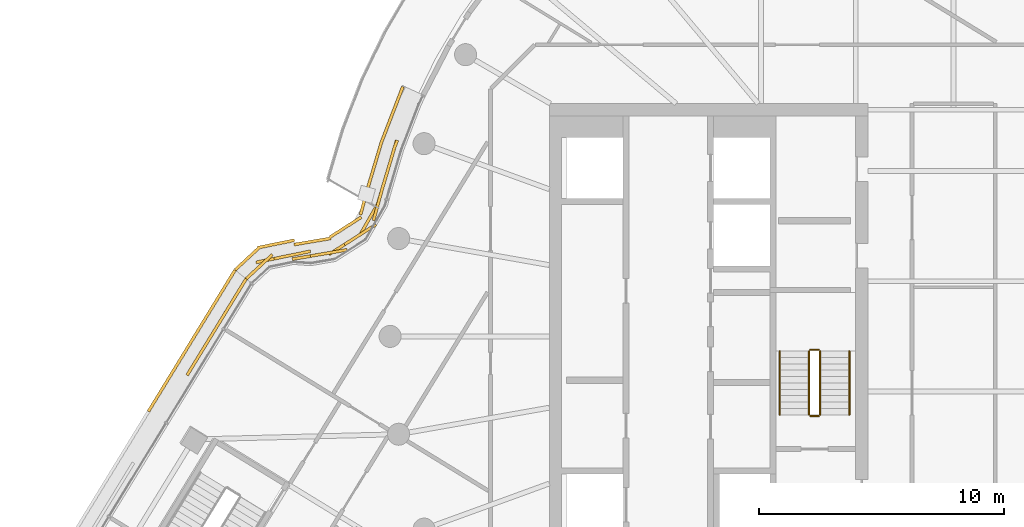
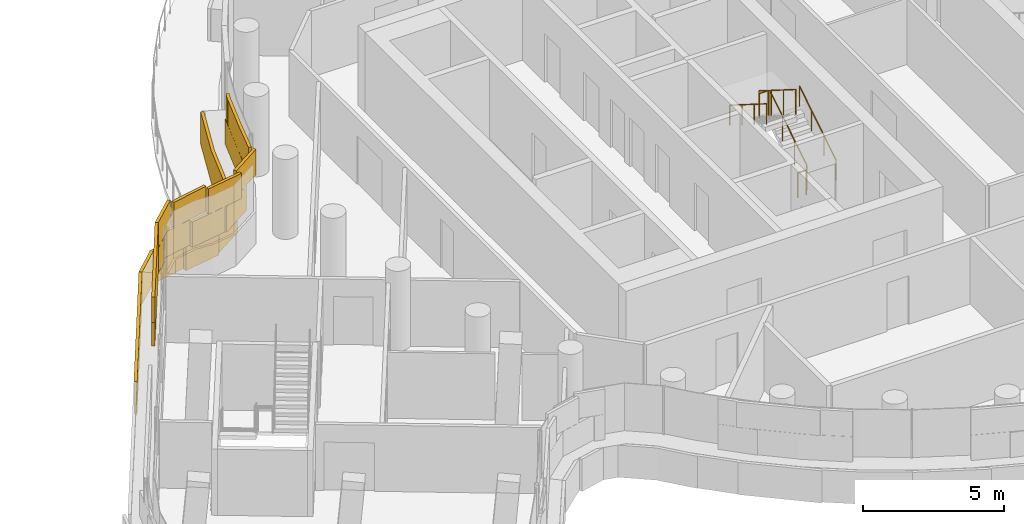
# One storey, part 23 of 27: 6 railings, 2 coverings.
"""IFC4 building model written with IfcOpenShell, lengths in metres."""

from ifc_helpers import new_model, si_unit, direction, frame, origin, origin_2d, place, context, subcontext, project, spatial, rectangle, circle, extrude, material, layer, layer_set, type_object, element, save


model = new_model("IFC4")

# Units and contexts
model_context = context("Model", 3, precision=1e-05, world=origin(), true_north=direction((0.0, 1.0)))
body_context = subcontext(model_context, "Body", "Model", "MODEL_VIEW")
ifc_project = project(units=[si_unit("LENGTHUNIT", "METRE"), si_unit("AREAUNIT", "SQUARE_METRE"), si_unit("VOLUMEUNIT", "CUBIC_METRE"), si_unit("PLANEANGLEUNIT", "RADIAN"), si_unit("MASSUNIT", "GRAM", prefix="KILO")], contexts=[model_context])

# Site, building, storey
site_placement = place(None, origin())
site = spatial("IfcSite", under=ifc_project, at=site_placement, CompositionType="ELEMENT")
building_placement = place(site_placement, origin())
building = spatial("IfcBuilding", under=site, at=building_placement, Name="Tamarind Cross Interchange Tower", CompositionType="ELEMENT")
storey_placement = place(building_placement, frame((0.0, 0.0, 245.10009765625)))
storey = spatial("IfcBuildingStorey", under=building, at=storey_placement, Name="L62", CompositionType="ELEMENT", Elevation=245.10009765625)

# Railings
ifc_material_1 = material(Name="Stair guard")
railing_type_1 = type_object("IfcRailingType", Name="Stair guard", PredefinedType="GUARDRAIL", material=ifc_material_1)
railing_1_placement = place(storey_placement, frame((-5.449951171875, -3.199951171875, 0.16357421875)))
element("IfcRailing", 1, at=railing_1_placement, inside=storey, type_object=railing_type_1, Name="L62 ST1 stair guard 1", PredefinedType="GUARDRAIL", context=body_context, shape_type="SweptSolid", body=[
    extrude(circle(Radius=0.02392578125, at=origin_2d()), frame((0.0, 0.0, 1.076171875), z_axis=(0.0, 0.846337672412, 0.532646734952), x_axis=(-1.0, 0.0, 0.0)), (0.0, 0.0, 1.0), 3.07177734375),
    extrude(circle(Radius=0.02099609375, at=origin_2d()), origin(), (0.0, 0.0, 1.0), 1.052001953125),
    extrude(circle(Radius=0.02099609375, at=origin_2d()), frame((0.0, 0.86669921875, 0.54541015625)), (0.0, 0.0, 1.0), 1.052001953125),
    extrude(circle(Radius=0.02099609375, at=origin_2d()), frame((0.0, 1.733154296875, 1.0908203125)), (0.0, 0.0, 1.0), 1.052001953125),
    extrude(circle(Radius=0.02099609375, at=origin_2d()), frame((0.0, 2.599853515625, 1.63623046875)), (0.0, 0.0, 1.0), 1.052001953125),
])
railing_2_placement = place(storey_placement, frame((-5.5, -0.550048828125, 1.7998046875)))
element("IfcRailing", 2, at=railing_2_placement, inside=storey, type_object=railing_type_1, Name="L62 ST1 stair guard 2", PredefinedType="GUARDRAIL", context=body_context, shape_type="SweptSolid", body=[
    extrude(circle(Radius=0.02392578125, at=origin_2d()), frame((0.0, 0.0, 1.076171875), z_axis=(-1.0, 0.0, 0.0), x_axis=(0.0, -1.0, 0.0)), (0.0, 0.0, 1.0), 0.35009765625),
    extrude(circle(Radius=0.02099609375, at=origin_2d()), origin(), (0.0, 0.0, 1.0), 1.052001953125),
    extrude(circle(Radius=0.02099609375, at=origin_2d()), frame((-0.35009765625, 0.0, 0.0)), (0.0, 0.0, 1.0), 1.052001953125),
])
railing_3_placement = place(storey_placement, frame((-5.89990234375, -0.60009765625, 1.963623046875)))
element("IfcRailing", 3, at=railing_3_placement, inside=storey, type_object=railing_type_1, Name="L62 ST1 stair guard 3", PredefinedType="GUARDRAIL", context=body_context, shape_type="SweptSolid", body=[
    extrude(circle(Radius=0.02392578125, at=origin_2d()), frame((0.0, 0.0, 1.076171875), z_axis=(0.0, -0.846337672412, 0.532646734952), x_axis=(1.0, 0.0, 0.0)), (0.0, 0.0, 1.0), 3.07177734375),
    extrude(circle(Radius=0.02099609375, at=origin_2d()), origin(), (0.0, 0.0, 1.0), 1.052001953125),
    extrude(circle(Radius=0.02099609375, at=origin_2d()), frame((0.0, -0.86669921875, 0.54541015625)), (0.0, 0.0, 1.0), 1.052001953125),
    extrude(circle(Radius=0.02099609375, at=origin_2d()), frame((0.0, -1.733154296875, 1.0908203125)), (0.0, 0.0, 1.0), 1.052001953125),
    extrude(circle(Radius=0.02099609375, at=origin_2d()), frame((0.0, -2.599853515625, 1.63623046875)), (0.0, 0.0, 1.0), 1.052001953125),
])
railing_4_placement = place(storey_placement, frame((-5.5, -3.25, 0.0)))
element("IfcRailing", 4, at=railing_4_placement, inside=storey, type_object=railing_type_1, Name="L62 ST1 stair guard 4", PredefinedType="GUARDRAIL", context=body_context, shape_type="SweptSolid", body=[
    extrude(circle(Radius=0.02392578125, at=origin_2d()), frame((0.0, 0.0, 1.076171875), z_axis=(-1.0, 0.0, 0.0), x_axis=(0.0, -1.0, 0.0)), (0.0, 0.0, 1.0), 0.35009765625),
    extrude(circle(Radius=0.02099609375, at=origin_2d()), origin(), (0.0, 0.0, 1.0), 1.052001953125),
    extrude(circle(Radius=0.02099609375, at=origin_2d()), frame((-0.35009765625, 0.0, 0.0)), (0.0, 0.0, 1.0), 1.052001953125),
])
ifc_material_2 = material(Name="Stair handrail")
railing_type_2 = type_object("IfcRailingType", Name="Stair handrail", PredefinedType="HANDRAIL", material=ifc_material_2)
railing_5_placement = place(storey_placement, frame((-4.25, -3.199951171875, 0.16357421875)))
element("IfcRailing", 5, at=railing_5_placement, inside=storey, type_object=railing_type_2, Name="L62 ST1 stair handrail 1", PredefinedType="HANDRAIL", context=body_context, shape_type="SweptSolid", body=[
    extrude(circle(Radius=0.02392578125, at=origin_2d()), frame((0.0, 0.0, 0.8759765625), z_axis=(0.0, 0.846337672412, 0.532646734952), x_axis=(-1.0, 0.0, 0.0)), (0.0, 0.0, 1.0), 3.07177734375),
    extrude(circle(Radius=0.02099609375, at=origin_2d()), origin(), (0.0, 0.0, 1.0), 0.851806640625),
    extrude(circle(Radius=0.02099609375, at=origin_2d()), frame((0.0, 0.86669921875, 0.54541015625)), (0.0, 0.0, 1.0), 0.851806640625),
    extrude(circle(Radius=0.02099609375, at=origin_2d()), frame((0.0, 1.733154296875, 1.0908203125)), (0.0, 0.0, 1.0), 0.851806640625),
    extrude(circle(Radius=0.02099609375, at=origin_2d()), frame((0.0, 2.599853515625, 1.63623046875)), (0.0, 0.0, 1.0), 0.851806640625),
])
railing_6_placement = place(storey_placement, frame((-7.10009765625, -0.60009765625, 1.963623046875)))
element("IfcRailing", 6, at=railing_6_placement, inside=storey, type_object=railing_type_2, Name="L62 ST1 stair handrail 2", PredefinedType="HANDRAIL", context=body_context, shape_type="SweptSolid", body=[
    extrude(circle(Radius=0.02392578125, at=origin_2d()), frame((0.0, 0.0, 0.8759765625), z_axis=(0.0, -0.846337672412, 0.532646734952), x_axis=(1.0, 0.0, 0.0)), (0.0, 0.0, 1.0), 3.07177734375),
    extrude(circle(Radius=0.02099609375, at=origin_2d()), origin(), (0.0, 0.0, 1.0), 0.851806640625),
    extrude(circle(Radius=0.02099609375, at=origin_2d()), frame((0.0, -0.86669921875, 0.54541015625)), (0.0, 0.0, 1.0), 0.851806640625),
    extrude(circle(Radius=0.02099609375, at=origin_2d()), frame((0.0, -1.733154296875, 1.0908203125)), (0.0, 0.0, 1.0), 0.851806640625),
    extrude(circle(Radius=0.02099609375, at=origin_2d()), frame((0.0, -2.599853515625, 1.63623046875)), (0.0, 0.0, 1.0), 0.851806640625),
])

# Coverings
ifc_material_3 = material(Name="Terracotta", Category="masonry")
ifc_layer = layer(ifc_material_3, 0.1201171875)
ifc_layer_set = layer_set([ifc_layer], Name="Terracotta")
covering_type = type_object("IfcCoveringType", Name="Terracotta baguette screen unit", PredefinedType="MOLDING", material=ifc_layer_set)
covering_1_placement = place(storey_placement, origin())
element("IfcCovering", 7, at=covering_1_placement, inside=storey, type_object=covering_type, Name="SCR-L62-02-01", PredefinedType="MOLDING", context=body_context, shape_type="SweptSolid", body=[
    extrude(rectangle(XDim=1.161865234375, YDim=0.1201171875, at=origin_2d()), frame((-22.894775390625, 7.453125, 1.40380859375), z_axis=(0.0, 0.0, 1.0), x_axis=(-0.285336224242, -0.95842748246, 0.0)), (0.0, 0.0, 1.0), 1.092041015625),
    extrude(rectangle(XDim=1.52001953125, YDim=0.1201171875, at=origin_2d()), frame((-23.27294921875, 6.18212890625, 1.40380859375), z_axis=(0.0, 0.0, 1.0), x_axis=(-0.285336224242, -0.95842748246, 0.0)), (0.0, 0.0, 1.0), 1.092041015625),
    extrude(rectangle(XDim=1.52001953125, YDim=0.1201171875, at=origin_2d()), frame((-23.84521484375, 4.807861328125, 1.40380859375), z_axis=(0.0, 0.0, 1.0), x_axis=(-0.495840126, -0.868413823847, 0.0)), (0.0, 0.0, 1.0), 1.092041015625),
    extrude(rectangle(XDim=1.52001953125, YDim=0.1201171875, at=origin_2d()), frame((-24.85107421875, 3.7548828125, 1.40380859375), z_axis=(0.0, 0.0, 1.0), x_axis=(-0.843365354338, -0.537340561565, 0.0)), (0.0, 0.0, 1.0), 1.092041015625),
    extrude(rectangle(XDim=1.52001953125, YDim=0.1201171875, at=origin_2d()), frame((-26.24365234375, 3.280517578125, 1.40380859375), z_axis=(0.0, 0.0, 1.0), x_axis=(-0.985916725191, -0.167236990494, 0.0)), (0.0, 0.0, 1.0), 1.092041015625),
    extrude(rectangle(XDim=1.52001953125, YDim=0.1201171875, at=origin_2d()), frame((-27.725830078125, 3.172607421875, 1.40380859375), z_axis=(0.0, 0.0, 1.0), x_axis=(-0.979687381492, -0.200530881776, 0.0)), (0.0, 0.0, 1.0), 1.092041015625),
    extrude(rectangle(XDim=0.71728515625, YDim=0.1201171875, at=origin_2d()), frame((-28.618896484375, 2.58544921875, 1.40380859375), z_axis=(0.0, 0.0, 1.0), x_axis=(-0.732995770969, -0.680233195119, 0.0)), (0.0, 0.0, 1.0), 1.092041015625),
    extrude(rectangle(XDim=0.411865234375, YDim=0.1201171875, at=origin_2d()), frame((-22.78076171875, 7.81005859375, 2.50390625), z_axis=(0.0, 0.0, 1.0), x_axis=(-0.359495435512, -0.933146843667, 0.0)), (0.0, 0.0, 1.0), 1.092041015625),
    extrude(rectangle(XDim=1.52001953125, YDim=0.1201171875, at=origin_2d()), frame((-23.05908203125, 6.901123046875, 2.50390625), z_axis=(0.0, 0.0, 1.0), x_axis=(-0.285336224242, -0.95842748246, 0.0)), (0.0, 0.0, 1.0), 1.092041015625),
    extrude(rectangle(XDim=1.52001953125, YDim=0.1201171875, at=origin_2d()), frame((-23.4755859375, 5.460205078125, 2.50390625), z_axis=(0.0, 0.0, 1.0), x_axis=(-0.265389348296, -0.964141324605, 0.0)), (0.0, 0.0, 1.0), 1.092041015625),
    extrude(rectangle(XDim=1.52001953125, YDim=0.1201171875, at=origin_2d()), frame((-24.218505859375, 4.157958984375, 2.50390625), z_axis=(0.0, 0.0, 1.0), x_axis=(-0.843365354338, -0.537340561565, 0.0)), (0.0, 0.0, 1.0), 1.092041015625),
    extrude(rectangle(XDim=1.52001953125, YDim=0.1201171875, at=origin_2d()), frame((-25.504150390625, 3.40576171875, 2.50390625), z_axis=(0.0, 0.0, 1.0), x_axis=(-0.985916725191, -0.167236990494, 0.0)), (0.0, 0.0, 1.0), 1.092041015625),
    extrude(rectangle(XDim=1.52001953125, YDim=0.1201171875, at=origin_2d()), frame((-26.9912109375, 3.322998046875, 2.50390625), z_axis=(0.0, 0.0, 1.0), x_axis=(-0.979687381492, -0.200530881776, 0.0)), (0.0, 0.0, 1.0), 1.092041015625),
    extrude(rectangle(XDim=1.46728515625, YDim=0.1201171875, at=origin_2d()), frame((-28.343994140625, 2.84033203125, 2.50390625), z_axis=(0.0, 0.0, 1.0), x_axis=(-0.732995770969, -0.680233195119, 0.0)), (0.0, 0.0, 1.0), 1.092041015625),
    extrude(rectangle(XDim=1.0166015625, YDim=0.1201171875, at=origin_2d()), frame((-22.659912109375, 9.720458984375, 0.00390625), z_axis=(0.0, 0.0, 1.0), x_axis=(-0.359495435512, -0.933146843667, 0.0)), (0.0, 0.0, 1.0), 1.39208984375),
    extrude(rectangle(XDim=1.52001953125, YDim=0.1201171875, at=origin_2d()), frame((-23.108642578125, 8.5556640625, 0.00390625), z_axis=(0.0, 0.0, 1.0), x_axis=(-0.359495435512, -0.933146843667, 0.0)), (0.0, 0.0, 1.0), 1.39208984375),
    extrude(rectangle(XDim=1.52001953125, YDim=0.1201171875, at=origin_2d()), frame((-23.588134765625, 7.135498046875, 0.00390625), z_axis=(0.0, 0.0, 1.0), x_axis=(-0.285336224242, -0.95842748246, 0.0)), (0.0, 0.0, 1.0), 1.39208984375),
    extrude(rectangle(XDim=1.52001953125, YDim=0.1201171875, at=origin_2d()), frame((-24.006103515625, 5.695068359375, 0.00390625), z_axis=(0.0, 0.0, 1.0), x_axis=(-0.265389348296, -0.964141324605, 0.0)), (0.0, 0.0, 1.0), 1.39208984375),
    extrude(rectangle(XDim=1.52001953125, YDim=0.1201171875, at=origin_2d()), frame((-24.815673828125, 4.4580078125, 0.00390625), z_axis=(0.0, 0.0, 1.0), x_axis=(-0.843365354338, -0.537340561565, 0.0)), (0.0, 0.0, 1.0), 1.39208984375),
    extrude(rectangle(XDim=1.52001953125, YDim=0.1201171875, at=origin_2d()), frame((-26.1669921875, 3.875732421875, 0.00390625), z_axis=(0.0, 0.0, 1.0), x_axis=(-0.985916725191, -0.167236990494, 0.0)), (0.0, 0.0, 1.0), 1.39208984375),
    extrude(rectangle(XDim=1.52001953125, YDim=0.1201171875, at=origin_2d()), frame((-27.650146484375, 3.77392578125, 0.00390625), z_axis=(0.0, 0.0, 1.0), x_axis=(-0.979687381492, -0.200530881776, 0.0)), (0.0, 0.0, 1.0), 1.39208984375),
    extrude(rectangle(XDim=1.3125, YDim=0.1201171875, at=origin_2d()), frame((-28.845458984375, 3.158203125, 0.00390625), z_axis=(0.0, 0.0, 1.0), x_axis=(-0.732995770969, -0.680233195119, 0.0)), (0.0, 0.0, 1.0), 1.39208984375),
])
covering_2_placement = place(storey_placement, origin())
element("IfcCovering", 8, at=covering_2_placement, inside=storey, type_object=covering_type, Name="SCR-L62-03-00", PredefinedType="MOLDING", context=body_context, shape_type="SweptSolid", body=[
    extrude(rectangle(XDim=1.510009765625, YDim=0.1201171875, at=origin_2d()), frame((-29.27001953125, 1.705322265625, 1.40380859375), z_axis=(0.0, 0.0, 1.0), x_axis=(-0.522367602426, -0.852720404316, 0.0)), (0.0, 0.0, 1.0), 1.092041015625),
    extrude(rectangle(XDim=1.52001953125, YDim=0.1201171875, at=origin_2d()), frame((-30.053466796875, 0.42626953125, 1.40380859375), z_axis=(0.0, 0.0, 1.0), x_axis=(-0.522367602426, -0.852720404316, 0.0)), (0.0, 0.0, 1.0), 1.092041015625),
    extrude(rectangle(XDim=1.52001953125, YDim=0.1201171875, at=origin_2d()), frame((-30.837158203125, -0.85302734375, 1.40380859375), z_axis=(0.0, 0.0, 1.0), x_axis=(-0.522367602426, -0.852720404316, 0.0)), (0.0, 0.0, 1.0), 1.092041015625),
    extrude(rectangle(XDim=0.760009765625, YDim=0.1201171875, at=origin_2d()), frame((-29.073974609375, 2.02490234375, 2.50390625), z_axis=(0.0, 0.0, 1.0), x_axis=(-0.522367602426, -0.852720404316, 0.0)), (0.0, 0.0, 1.0), 1.092041015625),
    extrude(rectangle(XDim=1.52001953125, YDim=0.1201171875, at=origin_2d()), frame((-29.66162109375, 1.065673828125, 2.50390625), z_axis=(0.0, 0.0, 1.0), x_axis=(-0.522367602426, -0.852720404316, 0.0)), (0.0, 0.0, 1.0), 1.092041015625),
    extrude(rectangle(XDim=1.52001953125, YDim=0.1201171875, at=origin_2d()), frame((-30.4453125, -0.21337890625, 2.50390625), z_axis=(0.0, 0.0, 1.0), x_axis=(-0.522367602426, -0.852720404316, 0.0)), (0.0, 0.0, 1.0), 1.092041015625),
    extrude(rectangle(XDim=0.864501953125, YDim=0.1201171875, at=origin_2d()), frame((-31.060302734375, -1.21728515625, 2.50390625), z_axis=(0.0, 0.0, 1.0), x_axis=(-0.522367602426, -0.852720404316, 0.0)), (0.0, 0.0, 1.0), 1.092041015625),
    extrude(rectangle(XDim=1.510009765625, YDim=0.1201171875, at=origin_2d()), frame((-29.720947265625, 2.068115234375, 0.00390625), z_axis=(0.0, 0.0, 1.0), x_axis=(-0.522367602426, -0.852720404316, 0.0)), (0.0, 0.0, 1.0), 1.39208984375),
    extrude(rectangle(XDim=1.52001953125, YDim=0.1201171875, at=origin_2d()), frame((-30.501708984375, 0.793212890625, 0.00390625), z_axis=(0.0, 0.0, 1.0), x_axis=(-0.522367602426, -0.852720404316, 0.0)), (0.0, 0.0, 1.0), 1.39208984375),
    extrude(rectangle(XDim=1.52001953125, YDim=0.1201171875, at=origin_2d()), frame((-31.285400390625, -0.48583984375, 0.00390625), z_axis=(0.0, 0.0, 1.0), x_axis=(-0.522367602426, -0.852720404316, 0.0)), (0.0, 0.0, 1.0), 1.39208984375),
    extrude(rectangle(XDim=1.52001953125, YDim=0.1201171875, at=origin_2d()), frame((-32.06884765625, -1.764892578125, 0.00390625), z_axis=(0.0, 0.0, 1.0), x_axis=(-0.522367602426, -0.852720404316, 0.0)), (0.0, 0.0, 1.0), 1.39208984375),
    extrude(rectangle(XDim=0.781005859375, YDim=0.1201171875, at=origin_2d()), frame((-32.659423828125, -2.72900390625, 0.00390625), z_axis=(0.0, 0.0, 1.0), x_axis=(-0.522367602426, -0.852720404316, 0.0)), (0.0, 0.0, 1.0), 1.39208984375),
])

save(model, "model.ifc")
